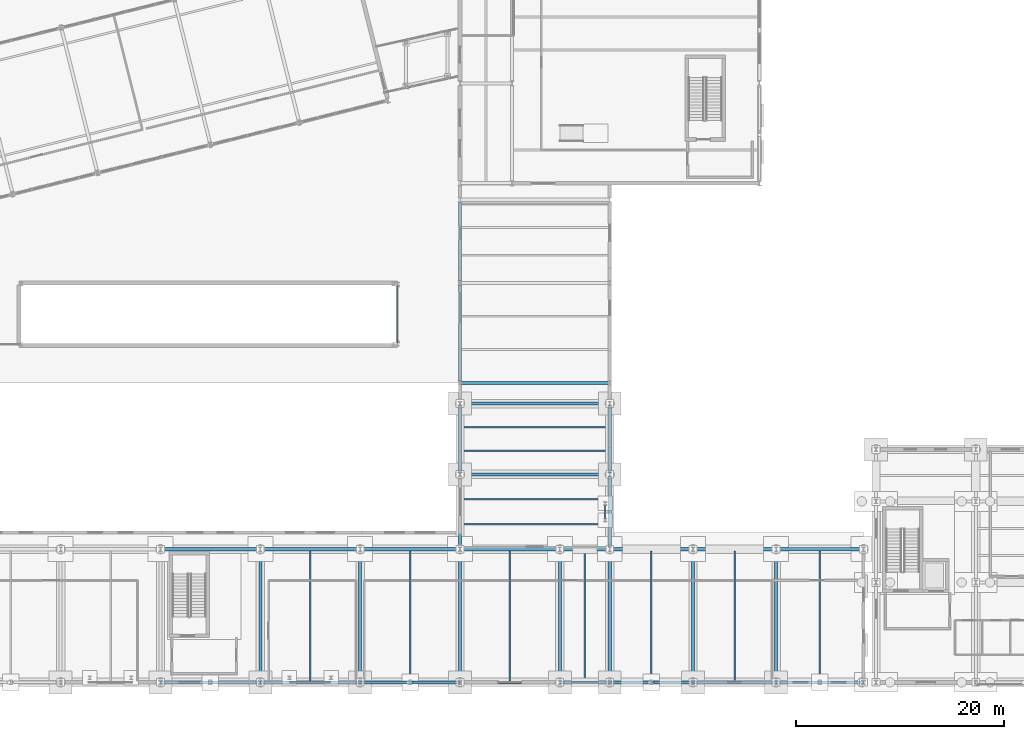
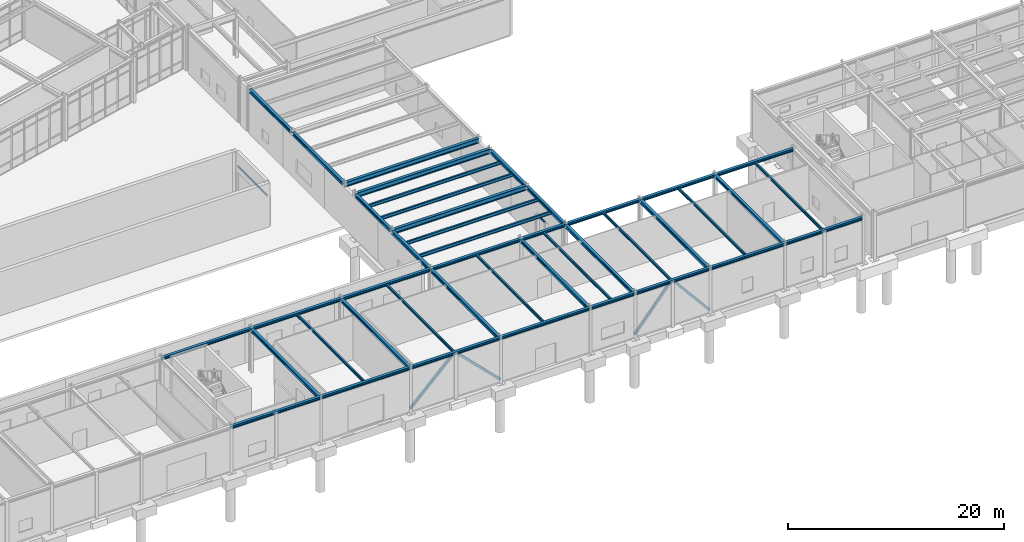
# One storey, part 29 of 109: 45 beams, 4 members.
"""IFC4 building model written with IfcOpenShell, lengths in metres."""

from ifc_helpers import new_model, si_unit, direction, frame, origin, origin_2d, place, context, subcontext, project, spatial, hollow_rectangle, i_section, extrude, material, material_profile, profile_set, type_object, element, save


model = new_model("IFC4")

# Units and contexts
model_context = context("Model", 3, precision=1e-05, world=origin(), true_north=direction((0.0, 1.0)))
body_context = subcontext(model_context, "Body", "Model", "MODEL_VIEW")
ifc_project = project(units=[si_unit("LENGTHUNIT", "METRE"), si_unit("AREAUNIT", "SQUARE_METRE"), si_unit("VOLUMEUNIT", "CUBIC_METRE"), si_unit("PLANEANGLEUNIT", "RADIAN"), si_unit("MASSUNIT", "GRAM", prefix="KILO")], contexts=[model_context])

# Site, building, storey
site_placement = place(None, origin())
site = spatial("IfcSite", under=ifc_project, at=site_placement, CompositionType="ELEMENT")
building_placement = place(site_placement, origin())
building = spatial("IfcBuilding", under=site, at=building_placement, Name="Nordkorset Police Headquarters", CompositionType="ELEMENT")
storey_placement = place(building_placement, origin())
storey = spatial("IfcBuildingStorey", under=building, at=storey_placement, Name="L00", CompositionType="ELEMENT", Elevation=0.0)

# Beams
ifc_material_1 = material(Name="Steel S355J2", Category="steel")
ifc_material_profile_1 = material_profile(ifc_material_1, i_section(OverallWidth=0.14990234375, OverallDepth=0.300048828125, WebThickness=0.007080078125, FlangeThickness=0.0107421875, FilletRadius=0.014892578125, at=origin_2d()), Name="IPE 300")
ifc_profile_set_1 = profile_set([ifc_material_profile_1], Name="Steel S355J2")
beam_type_1 = type_object("IfcBeamType", Name="Beam_IPE_300", PredefinedType="JOIST", material=ifc_profile_set_1)
for number, where, z_axis, x_axis, name in (
    (1, (72.0, 0.14990234375, 4.85009765625), (0.0, 1.0, 0.0), (-1.0, 0.0, 0.0), "Composite Floor Beam V7S L00 7-0-1"),
    (2, (81.60009765625, 0.14990234375, 4.85009765625), (0.0, 1.0, 0.0), (-1.0, 0.0, 0.0), "Composite Floor Beam V7S L00 8-0-1"),
    (3, (91.199951171875, 0.14990234375, 4.85009765625), (0.0, 1.0, 0.0), (-1.0, 0.0, 0.0), "Composite Floor Beam V7S L00 9-0-1"),
    (4, (98.39990234375, 0.14990234375, 4.85009765625), (0.0, 1.0, 0.0), (-1.0, 0.0, 0.0), "Composite Floor Beam V7S L00 10-0-1"),
    (5, (104.800048828125, 0.14990234375, 4.85009765625), (0.0, 1.0, 0.0), (-1.0, 0.0, 0.0), "Composite Floor Beam V7S L00 11-0-1"),
    (6, (112.800048828125, 0.14990234375, 4.85009765625), (0.0, 1.0, 0.0), (-1.0, 0.0, 0.0), "Composite Floor Beam V7S L00 12-0-1"),
    (7, (121.0, 0.14990234375, 4.85009765625), (0.0, 1.0, 0.0), (-1.0, 0.0, 0.0), "Composite Floor Beam V7S L00 13-0-1"),
):
    element("IfcBeam", number, at=place(storey_placement, frame(where, z_axis=z_axis, x_axis=x_axis)), inside=storey, type_object=beam_type_1, Name=name, PredefinedType="JOIST", context=body_context, shape_type="SweptSolid", body=[
        extrude(i_section(OverallWidth=0.14990234375, OverallDepth=0.300048828125, WebThickness=0.007080078125, FlangeThickness=0.0107421875, FilletRadius=0.014892578125, at=origin_2d()), origin(), (0.0, 0.0, 1.0), 12.5),
    ])
ifc_material_2 = material(Name="Steel S355J2", Category="steel")
ifc_material_profile_2 = material_profile(ifc_material_2, i_section(OverallWidth=0.169921875, OverallDepth=0.360107421875, WebThickness=0.008056640625, FlangeThickness=0.0126953125, FilletRadius=0.01806640625, at=origin_2d()), Name="IPE 360")
ifc_profile_set_2 = profile_set([ifc_material_profile_2], Name="Steel S355J2")
beam_type_2 = type_object("IfcBeamType", Name="Beam_IPE_360", PredefinedType="BEAM", material=ifc_profile_set_2)
for number, where, z_axis, x_axis, name in (
    (8, (86.550048828125, 15.199951171875, 4.820068359375), (1.0, 0.0, 0.0), (0.0, 1.0, 0.0), "Composite Floor Beam V7ES L00 0-0-1"),
    (9, (86.550048828125, 17.60009765625, 4.820068359375), (1.0, 0.0, 0.0), (0.0, 1.0, 0.0), "Composite Floor Beam V7ES L00 0-0-2"),
    (10, (86.550048828125, 22.2666015625, 4.820068359375), (1.0, 0.0, 0.0), (0.0, 1.0, 0.0), "Composite Floor Beam V7ES L00 0-1-1"),
    (11, (86.550048828125, 24.533447265625, 4.820068359375), (1.0, 0.0, 0.0), (0.0, 1.0, 0.0), "Composite Floor Beam V7ES L00 0-1-2"),
):
    element("IfcBeam", number, at=place(storey_placement, frame(where, z_axis=z_axis, x_axis=x_axis)), inside=storey, type_object=beam_type_2, Name=name, PredefinedType="BEAM", context=body_context, shape_type="SweptSolid", body=[
        extrude(i_section(OverallWidth=0.169921875, OverallDepth=0.360107421875, WebThickness=0.008056640625, FlangeThickness=0.0126953125, FilletRadius=0.01806640625, at=origin_2d()), origin(), (0.0, 0.0, 1.0), 14.099853515625),
    ])

# Members
ifc_material_3 = material(Name="Steel S355J2", Category="steel")
ifc_material_profile_3 = material_profile(ifc_material_3, hollow_rectangle(XDim=0.25, YDim=0.25, WallThickness=0.012451171875, InnerFilletRadius=0.012451171875, OuterFilletRadius=0.02490234375, at=origin_2d()), Name="SHS 250x250x12.5")
ifc_profile_set_3 = profile_set([ifc_material_profile_3], Name="Steel S355J2")
member_type = type_object("IfcMemberType", Name="Brace_SHS_250x250x12.5", PredefinedType="BRACE", material=ifc_profile_set_3)
for number, where, z_axis, x_axis, name in (
    (12, (76.806640625, 0.0, 0.199951171875), (0.709655969555, 0.0, 0.704548369436), (0.0, 1.0, 0.0), "Lateral Chevron Brace BF-EXT-V7S8 L00 D1"),
    (13, (86.393310546875, 0.0, 0.199951171875), (-0.709655969555, 0.0, 0.704548369436), (0.0, -1.0, 0.0), "Lateral Chevron Brace BF-EXT-V7S8 L00 D2"),
):
    element("IfcMember", number, at=place(storey_placement, frame(where, z_axis=z_axis, x_axis=x_axis)), inside=storey, type_object=member_type, Name=name, PredefinedType="BRACE", context=body_context, shape_type="SweptSolid", body=[
        extrude(hollow_rectangle(XDim=0.25, YDim=0.25, WallThickness=0.012451171875, InnerFilletRadius=0.012451171875, OuterFilletRadius=0.02490234375, at=origin_2d()), origin(), (0.0, 0.0, 1.0), 6.500732421875),
    ])
member_1_placement = place(storey_placement, frame((100.806640625, 0.0, 0.199951171875), z_axis=(0.63986200146, 0.0, 0.768489830178), x_axis=(0.0, 1.0, 0.0)))
element("IfcMember", 14, at=member_1_placement, inside=storey, type_object=member_type, Name="Lateral Chevron Brace BF-EXT-V7S11 L00 D1", PredefinedType="BRACE", context=body_context, shape_type="SweptSolid", body=[
    extrude(hollow_rectangle(XDim=0.25, YDim=0.25, WallThickness=0.012451171875, InnerFilletRadius=0.012451171875, OuterFilletRadius=0.02490234375, at=origin_2d()), origin(), (0.0, 0.0, 1.0), 5.9599609375),
])
member_2_placement = place(storey_placement, frame((108.793212890625, 0.0, 0.199951171875), z_axis=(-0.639837807965, 0.0, 0.768509973585), x_axis=(0.0, -1.0, 0.0)))
element("IfcMember", 15, at=member_2_placement, inside=storey, type_object=member_type, Name="Lateral Chevron Brace BF-EXT-V7S11 L00 D2", PredefinedType="BRACE", context=body_context, shape_type="SweptSolid", body=[
    extrude(hollow_rectangle(XDim=0.25, YDim=0.25, WallThickness=0.012451171875, InnerFilletRadius=0.012451171875, OuterFilletRadius=0.02490234375, at=origin_2d()), origin(), (0.0, 0.0, 1.0), 5.959716796875),
])

# Beams
ifc_material_4 = material(Name="Steel S355J2", Category="steel")
ifc_material_profile_4 = material_profile(ifc_material_4, i_section(OverallWidth=0.300048828125, OverallDepth=0.389892578125, WebThickness=0.010986328125, FlangeThickness=0.01904296875, FilletRadius=0.027099609375, at=origin_2d()), Name="HEA 400")
ifc_profile_set_4 = profile_set([ifc_material_profile_4], Name="Steel S355J2")
beam_type_3 = type_object("IfcBeamType", Name="Girder_HEA_400", PredefinedType="USERDEFINED", material=ifc_profile_set_4)
for number, where, z_axis, x_axis, name in (
    (16, (67.199951171875, 0.199951171875, 4.804931640625), (0.0, 1.0, 0.0), (-1.0, 0.0, 0.0), "Girder V7S L00 GY-7-0"),
    (17, (76.800048828125, 0.199951171875, 4.804931640625), (0.0, 1.0, 0.0), (-1.0, 0.0, 0.0), "Girder V7S L00 GY-8-0"),
    (18, (86.39990234375, 0.199951171875, 4.804931640625), (0.0, 1.0, 0.0), (-1.0, 0.0, 0.0), "Girder V7S L00 GY-9-0"),
    (19, (96.0, 0.199951171875, 4.804931640625), (0.0, 1.0, 0.0), (-1.0, 0.0, 0.0), "Girder V7S L00 GY-10-0"),
    (20, (100.800048828125, 0.199951171875, 4.804931640625), (0.0, 1.0, 0.0), (-1.0, 0.0, 0.0), "Girder V7S L00 GY-11-0"),
    (21, (108.800048828125, 0.199951171875, 4.804931640625), (0.0, 1.0, 0.0), (-1.0, 0.0, 0.0), "Girder V7S L00 GY-12-0"),
    (22, (116.800048828125, 0.199951171875, 4.804931640625), (0.0, 1.0, 0.0), (-1.0, 0.0, 0.0), "Girder V7S L00 GY-13-0"),
):
    element("IfcBeam", number, at=place(storey_placement, frame(where, z_axis=z_axis, x_axis=x_axis)), inside=storey, type_object=beam_type_3, Name=name, ObjectType="GIRDER", PredefinedType="USERDEFINED", context=body_context, shape_type="SweptSolid", body=[
        extrude(i_section(OverallWidth=0.300048828125, OverallDepth=0.389892578125, WebThickness=0.010986328125, FlangeThickness=0.01904296875, FilletRadius=0.027099609375, at=origin_2d()), origin(), (0.0, 0.0, 1.0), 12.400146484375),
    ])
beam_1_placement = place(storey_placement, frame((86.39990234375, 13.0, 4.804931640625), z_axis=(0.0, 1.0, 0.0), x_axis=(-1.0, 0.0, 0.0)))
element("IfcBeam", 23, at=beam_1_placement, inside=storey, type_object=beam_type_3, Name="Girder V7ES L00 GY-0-0", ObjectType="GIRDER", PredefinedType="USERDEFINED", context=body_context, shape_type="SweptSolid", body=[
    extrude(i_section(OverallWidth=0.300048828125, OverallDepth=0.389892578125, WebThickness=0.010986328125, FlangeThickness=0.01904296875, FilletRadius=0.027099609375, at=origin_2d()), origin(), (0.0, 0.0, 1.0), 6.800048828125),
])
beam_2_placement = place(storey_placement, frame((86.39990234375, 20.199951171875, 4.804931640625), z_axis=(0.0, 1.0, 0.0), x_axis=(-1.0, 0.0, 0.0)))
element("IfcBeam", 24, at=beam_2_placement, inside=storey, type_object=beam_type_3, Name="Girder V7ES L00 GY-0-1", ObjectType="GIRDER", PredefinedType="USERDEFINED", context=body_context, shape_type="SweptSolid", body=[
    extrude(i_section(OverallWidth=0.300048828125, OverallDepth=0.389892578125, WebThickness=0.010986328125, FlangeThickness=0.01904296875, FilletRadius=0.027099609375, at=origin_2d()), origin(), (0.0, 0.0, 1.0), 6.400146484375),
])
beam_3_placement = place(storey_placement, frame((100.800048828125, 13.0, 4.804931640625), z_axis=(0.0, 1.0, 0.0), x_axis=(-1.0, 0.0, 0.0)))
element("IfcBeam", 25, at=beam_3_placement, inside=storey, type_object=beam_type_3, Name="Girder V7ES L00 GY-1-0", ObjectType="GIRDER", PredefinedType="USERDEFINED", context=body_context, shape_type="SweptSolid", body=[
    extrude(i_section(OverallWidth=0.300048828125, OverallDepth=0.389892578125, WebThickness=0.010986328125, FlangeThickness=0.01904296875, FilletRadius=0.027099609375, at=origin_2d()), origin(), (0.0, 0.0, 1.0), 6.800048828125),
])
beam_4_placement = place(storey_placement, frame((100.800048828125, 20.199951171875, 4.804931640625), z_axis=(0.0, 1.0, 0.0), x_axis=(-1.0, 0.0, 0.0)))
element("IfcBeam", 26, at=beam_4_placement, inside=storey, type_object=beam_type_3, Name="Girder V7ES L00 GY-1-1", ObjectType="GIRDER", PredefinedType="USERDEFINED", context=body_context, shape_type="SweptSolid", body=[
    extrude(i_section(OverallWidth=0.300048828125, OverallDepth=0.389892578125, WebThickness=0.010986328125, FlangeThickness=0.01904296875, FilletRadius=0.027099609375, at=origin_2d()), origin(), (0.0, 0.0, 1.0), 6.400146484375),
])
beam_5_placement = place(storey_placement, frame((86.39990234375, 29.0, 4.804931640625), z_axis=(0.0, 1.0, 0.0), x_axis=(-1.0, 0.0, 0.0)))
element("IfcBeam", 27, at=beam_5_placement, inside=storey, type_object=beam_type_3, Name="Girder V7EN L00 GY-0-0", ObjectType="GIRDER", PredefinedType="USERDEFINED", context=body_context, shape_type="SweptSolid", body=[
    extrude(i_section(OverallWidth=0.300048828125, OverallDepth=0.389892578125, WebThickness=0.010986328125, FlangeThickness=0.01904296875, FilletRadius=0.027099609375, at=origin_2d()), origin(), (0.0, 0.0, 1.0), 9.199951171875),
])
beam_6_placement = place(storey_placement, frame((86.39990234375, 38.60009765625, 4.804931640625), z_axis=(0.0, 1.0, 0.0), x_axis=(-1.0, 0.0, 0.0)))
element("IfcBeam", 28, at=beam_6_placement, inside=storey, type_object=beam_type_3, Name="Girder V7EN L00 GY-0-1", ObjectType="GIRDER", PredefinedType="USERDEFINED", context=body_context, shape_type="SweptSolid", body=[
    extrude(i_section(OverallWidth=0.300048828125, OverallDepth=0.389892578125, WebThickness=0.010986328125, FlangeThickness=0.01904296875, FilletRadius=0.027099609375, at=origin_2d()), origin(), (0.0, 0.0, 1.0), 7.599853515625),
])
ifc_material_5 = material(Name="Steel S355J2", Category="steel")
ifc_material_profile_5 = material_profile(ifc_material_5, i_section(OverallWidth=0.300048828125, OverallDepth=0.5400390625, WebThickness=0.012451171875, FlangeThickness=0.02392578125, FilletRadius=0.027099609375, at=origin_2d()), Name="HEA 550")
ifc_profile_set_5 = profile_set([ifc_material_profile_5], Name="Steel S355J2")
beam_type_4 = type_object("IfcBeamType", Name="Girder_HEA_550", PredefinedType="USERDEFINED", material=ifc_profile_set_5)
for number, where, z_axis, x_axis, name in (
    (29, (86.40673828125, 20.0, 4.72998046875), (1.0, 0.0, 0.0), (0.0, 1.0, 0.0), "Girder V7ES L00 GX-1-0"),
    (30, (86.40673828125, 26.800048828125, 4.72998046875), (1.0, 0.0, 0.0), (0.0, 1.0, 0.0), "Girder V7ES L00 GX-2-0"),
    (31, (86.40673828125, 28.800048828125, 4.72998046875), (1.0, 0.0, 0.0), (0.0, 1.0, 0.0), "Girder V7EN L00 GX-0-0"),
):
    element("IfcBeam", number, at=place(storey_placement, frame(where, z_axis=z_axis, x_axis=x_axis)), inside=storey, type_object=beam_type_4, Name=name, ObjectType="GIRDER", PredefinedType="USERDEFINED", context=body_context, shape_type="SweptSolid", body=[
        extrude(i_section(OverallWidth=0.300048828125, OverallDepth=0.5400390625, WebThickness=0.012451171875, FlangeThickness=0.02392578125, FilletRadius=0.027099609375, at=origin_2d()), origin(), (0.0, 0.0, 1.0), 14.386474609375),
    ])
ifc_material_6 = material(Name="Steel S355J2", Category="steel")
ifc_material_profile_6 = material_profile(ifc_material_6, i_section(OverallWidth=0.10009765625, OverallDepth=0.199951171875, WebThickness=0.005615234375, FlangeThickness=0.008544921875, FilletRadius=0.011962890625, at=origin_2d()), Name="IPE 200")
ifc_profile_set_6 = profile_set([ifc_material_profile_6], Name="Steel S355J2")
beam_type_5 = type_object("IfcBeamType", Name="Lintel_IPE_200", PredefinedType="LINTEL", material=ifc_profile_set_6)
beam_7_placement = place(storey_placement, frame((80.39990234375, 32.64990234375, 3.25), z_axis=(0.0, 1.0, 0.0), x_axis=(-1.0, 0.0, 0.0)))
element("IfcBeam", 32, at=beam_7_placement, inside=storey, type_object=beam_type_5, Name="Opening Steel Lintel LNT-VG03", PredefinedType="LINTEL", context=body_context, shape_type="SweptSolid", body=[
    extrude(i_section(OverallWidth=0.10009765625, OverallDepth=0.199951171875, WebThickness=0.005615234375, FlangeThickness=0.008544921875, FilletRadius=0.011962890625, at=origin_2d()), origin(), (0.0, 0.0, 1.0), 5.5),
])
beam_8_placement = place(storey_placement, frame((100.35009765625, 15.75, 3.449951171875), z_axis=(0.0, 1.0, 0.0), x_axis=(-1.0, 0.0, 0.0)))
element("IfcBeam", 33, at=beam_8_placement, inside=storey, type_object=beam_type_5, Name="Opening Steel Lintel LNT-V7-E", PredefinedType="LINTEL", context=body_context, shape_type="SweptSolid", body=[
    extrude(i_section(OverallWidth=0.10009765625, OverallDepth=0.199951171875, WebThickness=0.005615234375, FlangeThickness=0.008544921875, FilletRadius=0.011962890625, at=origin_2d()), origin(), (0.0, 0.0, 1.0), 1.300048828125),
])
ifc_material_7 = material(Name="Steel S355J2", Category="steel")
ifc_material_profile_7 = material_profile(ifc_material_7, i_section(OverallWidth=0.300048828125, OverallDepth=0.31005859375, WebThickness=0.009033203125, FlangeThickness=0.015380859375, FilletRadius=0.027099609375, at=origin_2d()), Name="HEA 320")
ifc_profile_set_7 = profile_set([ifc_material_profile_7], Name="Steel S355J2")
beam_type_6 = type_object("IfcBeamType", Name="Spandrel_HEA_320", PredefinedType="SPANDREL", material=ifc_profile_set_7)
beam_9_placement = place(storey_placement, frame((57.606689453125, 0.0, 4.844970703125), z_axis=(1.0, 0.0, 0.0), x_axis=(0.0, 1.0, 0.0)))
element("IfcBeam", 34, at=beam_9_placement, inside=storey, type_object=beam_type_6, Name="Girder V7S L00 GX-0-6", PredefinedType="SPANDREL", context=body_context, shape_type="SweptSolid", body=[
    extrude(i_section(OverallWidth=0.300048828125, OverallDepth=0.31005859375, WebThickness=0.009033203125, FlangeThickness=0.015380859375, FilletRadius=0.027099609375, at=origin_2d()), origin(), (0.0, 0.0, 1.0), 9.586669921875),
])
beam_10_placement = place(storey_placement, frame((67.206787109375, 0.0, 4.844970703125), z_axis=(1.0, 0.0, 0.0), x_axis=(0.0, 1.0, 0.0)))
element("IfcBeam", 35, at=beam_10_placement, inside=storey, type_object=beam_type_6, Name="Girder V7S L00 GX-0-7", PredefinedType="SPANDREL", context=body_context, shape_type="SweptSolid", body=[
    extrude(i_section(OverallWidth=0.300048828125, OverallDepth=0.31005859375, WebThickness=0.009033203125, FlangeThickness=0.015380859375, FilletRadius=0.027099609375, at=origin_2d()), origin(), (0.0, 0.0, 1.0), 9.58642578125),
])
for number, where, z_axis, x_axis, name in (
    (36, (76.806640625, 0.0, 4.844970703125), (1.0, 0.0, 0.0), (0.0, 1.0, 0.0), "Girder V7S L00 GX-0-8"),
    (37, (86.40673828125, 0.0, 4.844970703125), (1.0, 0.0, 0.0), (0.0, 1.0, 0.0), "Girder V7S L00 GX-0-9"),
):
    element("IfcBeam", number, at=place(storey_placement, frame(where, z_axis=z_axis, x_axis=x_axis)), inside=storey, type_object=beam_type_6, Name=name, PredefinedType="SPANDREL", context=body_context, shape_type="SweptSolid", body=[
        extrude(i_section(OverallWidth=0.300048828125, OverallDepth=0.31005859375, WebThickness=0.009033203125, FlangeThickness=0.015380859375, FilletRadius=0.027099609375, at=origin_2d()), origin(), (0.0, 0.0, 1.0), 9.586669921875),
    ])
beam_11_placement = place(storey_placement, frame((96.006591796875, 0.0, 4.844970703125), z_axis=(1.0, 0.0, 0.0), x_axis=(0.0, 1.0, 0.0)))
element("IfcBeam", 38, at=beam_11_placement, inside=storey, type_object=beam_type_6, Name="Girder V7S L00 GX-0-10", PredefinedType="SPANDREL", context=body_context, shape_type="SweptSolid", body=[
    extrude(i_section(OverallWidth=0.300048828125, OverallDepth=0.31005859375, WebThickness=0.009033203125, FlangeThickness=0.015380859375, FilletRadius=0.027099609375, at=origin_2d()), origin(), (0.0, 0.0, 1.0), 4.78662109375),
])
for number, where, z_axis, x_axis, name in (
    (39, (100.806640625, 0.0, 4.844970703125), (1.0, 0.0, 0.0), (0.0, 1.0, 0.0), "Girder V7S L00 GX-0-11"),
    (40, (108.806640625, 0.0, 4.844970703125), (1.0, 0.0, 0.0), (0.0, 1.0, 0.0), "Girder V7S L00 GX-0-12"),
):
    element("IfcBeam", number, at=place(storey_placement, frame(where, z_axis=z_axis, x_axis=x_axis)), inside=storey, type_object=beam_type_6, Name=name, PredefinedType="SPANDREL", context=body_context, shape_type="SweptSolid", body=[
        extrude(i_section(OverallWidth=0.300048828125, OverallDepth=0.31005859375, WebThickness=0.009033203125, FlangeThickness=0.015380859375, FilletRadius=0.027099609375, at=origin_2d()), origin(), (0.0, 0.0, 1.0), 7.986572265625),
    ])
beam_12_placement = place(storey_placement, frame((116.806640625, 0.0, 4.844970703125), z_axis=(1.0, 0.0, 0.0), x_axis=(0.0, 1.0, 0.0)))
element("IfcBeam", 41, at=beam_12_placement, inside=storey, type_object=beam_type_6, Name="Girder V7S L00 GX-0-13", PredefinedType="SPANDREL", context=body_context, shape_type="SweptSolid", body=[
    extrude(i_section(OverallWidth=0.300048828125, OverallDepth=0.31005859375, WebThickness=0.009033203125, FlangeThickness=0.015380859375, FilletRadius=0.027099609375, at=origin_2d()), origin(), (0.0, 0.0, 1.0), 8.38671875),
])
beam_13_placement = place(storey_placement, frame((57.606689453125, 12.800048828125, 4.844970703125), z_axis=(1.0, 0.0, 0.0), x_axis=(0.0, 1.0, 0.0)))
element("IfcBeam", 42, at=beam_13_placement, inside=storey, type_object=beam_type_6, Name="Girder V7S L00 GX-1-6", PredefinedType="SPANDREL", context=body_context, shape_type="SweptSolid", body=[
    extrude(i_section(OverallWidth=0.300048828125, OverallDepth=0.31005859375, WebThickness=0.009033203125, FlangeThickness=0.015380859375, FilletRadius=0.027099609375, at=origin_2d()), origin(), (0.0, 0.0, 1.0), 9.586669921875),
])
beam_14_placement = place(storey_placement, frame((67.206787109375, 12.800048828125, 4.844970703125), z_axis=(1.0, 0.0, 0.0), x_axis=(0.0, 1.0, 0.0)))
element("IfcBeam", 43, at=beam_14_placement, inside=storey, type_object=beam_type_6, Name="Girder V7S L00 GX-1-7", PredefinedType="SPANDREL", context=body_context, shape_type="SweptSolid", body=[
    extrude(i_section(OverallWidth=0.300048828125, OverallDepth=0.31005859375, WebThickness=0.009033203125, FlangeThickness=0.015380859375, FilletRadius=0.027099609375, at=origin_2d()), origin(), (0.0, 0.0, 1.0), 9.58642578125),
])
for number, where, z_axis, x_axis, name in (
    (44, (76.806640625, 12.800048828125, 4.844970703125), (1.0, 0.0, 0.0), (0.0, 1.0, 0.0), "Girder V7S L00 GX-1-8"),
    (45, (86.40673828125, 12.800048828125, 4.844970703125), (1.0, 0.0, 0.0), (0.0, 1.0, 0.0), "Girder V7S L00 GX-1-9"),
):
    element("IfcBeam", number, at=place(storey_placement, frame(where, z_axis=z_axis, x_axis=x_axis)), inside=storey, type_object=beam_type_6, Name=name, PredefinedType="SPANDREL", context=body_context, shape_type="SweptSolid", body=[
        extrude(i_section(OverallWidth=0.300048828125, OverallDepth=0.31005859375, WebThickness=0.009033203125, FlangeThickness=0.015380859375, FilletRadius=0.027099609375, at=origin_2d()), origin(), (0.0, 0.0, 1.0), 9.586669921875),
    ])
beam_15_placement = place(storey_placement, frame((96.006591796875, 12.800048828125, 4.844970703125), z_axis=(1.0, 0.0, 0.0), x_axis=(0.0, 1.0, 0.0)))
element("IfcBeam", 46, at=beam_15_placement, inside=storey, type_object=beam_type_6, Name="Girder V7S L00 GX-1-10", PredefinedType="SPANDREL", context=body_context, shape_type="SweptSolid", body=[
    extrude(i_section(OverallWidth=0.300048828125, OverallDepth=0.31005859375, WebThickness=0.009033203125, FlangeThickness=0.015380859375, FilletRadius=0.027099609375, at=origin_2d()), origin(), (0.0, 0.0, 1.0), 4.78662109375),
])
for number, where, z_axis, x_axis, name in (
    (47, (100.806640625, 12.800048828125, 4.844970703125), (1.0, 0.0, 0.0), (0.0, 1.0, 0.0), "Girder V7S L00 GX-1-11"),
    (48, (108.806640625, 12.800048828125, 4.844970703125), (1.0, 0.0, 0.0), (0.0, 1.0, 0.0), "Girder V7S L00 GX-1-12"),
):
    element("IfcBeam", number, at=place(storey_placement, frame(where, z_axis=z_axis, x_axis=x_axis)), inside=storey, type_object=beam_type_6, Name=name, PredefinedType="SPANDREL", context=body_context, shape_type="SweptSolid", body=[
        extrude(i_section(OverallWidth=0.300048828125, OverallDepth=0.31005859375, WebThickness=0.009033203125, FlangeThickness=0.015380859375, FilletRadius=0.027099609375, at=origin_2d()), origin(), (0.0, 0.0, 1.0), 7.986572265625),
    ])
beam_16_placement = place(storey_placement, frame((116.806640625, 12.800048828125, 4.844970703125), z_axis=(1.0, 0.0, 0.0), x_axis=(0.0, 1.0, 0.0)))
element("IfcBeam", 49, at=beam_16_placement, inside=storey, type_object=beam_type_6, Name="Girder V7S L00 GX-1-13", PredefinedType="SPANDREL", context=body_context, shape_type="SweptSolid", body=[
    extrude(i_section(OverallWidth=0.300048828125, OverallDepth=0.31005859375, WebThickness=0.009033203125, FlangeThickness=0.015380859375, FilletRadius=0.027099609375, at=origin_2d()), origin(), (0.0, 0.0, 1.0), 8.38671875),
])

save(model, "model.ifc")
